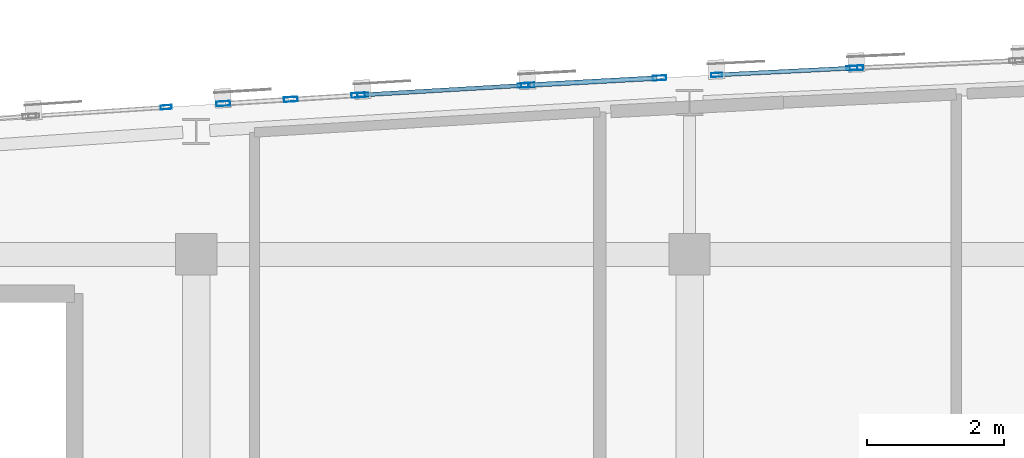
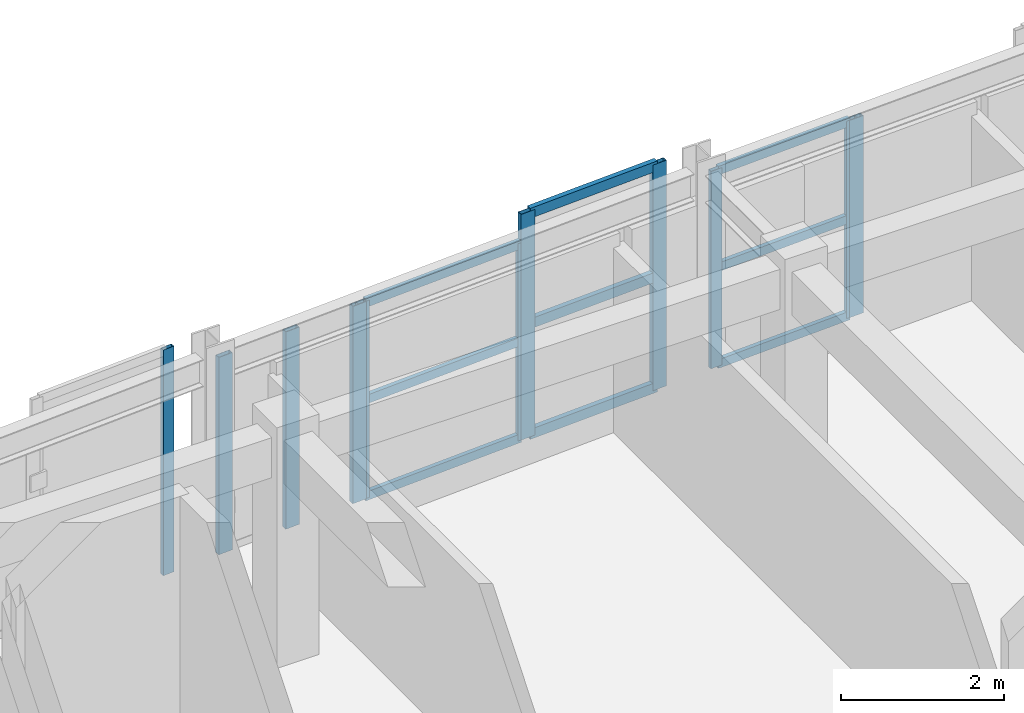
# One storey, part 12 of 41: 20 members, 6 elements without a shape of their own.
"""IFC4 building model written with IfcOpenShell, lengths in metres."""

from ifc_helpers import new_model, si_unit, direction, frame, origin, origin_2d, place, context, subcontext, project, spatial, hollow_rectangle, extrude, material, layer, layer_set, material_profile, profile_set, type_object, element, aggregate, save


model = new_model("IFC4")

# Units and contexts
model_context = context("Model", 3, precision=1e-05, world=origin(), true_north=direction((0.0, 1.0)))
body_context = subcontext(model_context, "Body", "Model", "MODEL_VIEW")
ifc_project = project(units=[si_unit("LENGTHUNIT", "METRE"), si_unit("AREAUNIT", "SQUARE_METRE"), si_unit("VOLUMEUNIT", "CUBIC_METRE"), si_unit("PLANEANGLEUNIT", "RADIAN"), si_unit("MASSUNIT", "GRAM", prefix="KILO")], contexts=[model_context])

# Site, building, storey
site_placement = place(None, origin())
site = spatial("IfcSite", under=ifc_project, at=site_placement, CompositionType="ELEMENT")
building_placement = place(site_placement, origin())
building = spatial("IfcBuilding", under=site, at=building_placement, Name="Carrowvane Square Congress Hotel", CompositionType="ELEMENT")
storey_placement = place(building_placement, frame((0.0, 0.0, 37.199951171875)))
storey = spatial("IfcBuildingStorey", under=building, at=storey_placement, Name="L09", CompositionType="ELEMENT", Elevation=37.199951171875)

# Curtain wall, member
ifc_material_1 = material(Name="Anodised aluminium", Category="aluminium")
ifc_layer_1 = layer(ifc_material_1, 0.23388671875)
ifc_layer_set_1 = layer_set([ifc_layer_1], Name="Anodised aluminium")
curtain_wall_type_1 = type_object("IfcCurtainWallType", Name="CW-SYS-7", PredefinedType="NOTDEFINED", material=ifc_layer_set_1)
curtain_wall_1_placement = place(storey_placement, origin())
curtain_wall_1 = element("IfcCurtainWall", 1, at=curtain_wall_1_placement, inside=storey, type_object=curtain_wall_type_1, Name="L09 unitised curtain wall 518", PredefinedType="NOTDEFINED")
ifc_material_2 = material(Name="Anodised aluminium", Category="aluminium")
ifc_material_profile_1 = material_profile(ifc_material_2, hollow_rectangle(XDim=0.06005859375, YDim=0.159912109375, WallThickness=0.00390625, at=origin_2d()), Name="CW-ML 60x160x4")
ifc_profile_set_1 = profile_set([ifc_material_profile_1], Name="Anodised aluminium")
member_type_1 = type_object("IfcMemberType", Name="CW-MUL-1", PredefinedType="MULLION", material=ifc_profile_set_1)
member_1_placement = place(storey_placement, frame((68.761474609375, 115.545654296875, 0.0), z_axis=(0.0, 0.0, 1.0), x_axis=(-0.065412223074, 0.997858327155, 0.0)))
member_1 = element("IfcMember", 2, at=member_1_placement, type_object=member_type_1, Name="CW-7 mullion 2", PredefinedType="MULLION", context=body_context, shape_type="SweptSolid", body=[
    extrude(hollow_rectangle(XDim=0.06005859375, YDim=0.159912109375, WallThickness=0.00390625, at=origin_2d()), origin(), (0.0, 0.0, 1.0), 3.380126953125),
])
aggregate(curtain_wall_1, [member_1])

# Curtain wall, members
ifc_material_3 = material(Name="Anodised aluminium", Category="aluminium")
ifc_layer_2 = layer(ifc_material_3, 0.162109375)
ifc_layer_set_2 = layer_set([ifc_layer_2], Name="Anodised aluminium")
curtain_wall_type_2 = type_object("IfcCurtainWallType", Name="CW-SYS-1", PredefinedType="NOTDEFINED", material=ifc_layer_set_2)
curtain_wall_2_placement = place(storey_placement, origin())
curtain_wall_2 = element("IfcCurtainWall", 3, at=curtain_wall_2_placement, inside=storey, type_object=curtain_wall_type_2, Name="L09 unitised curtain wall 520", PredefinedType="NOTDEFINED")
member_2_placement = place(storey_placement, frame((71.6298828125, 115.72607421875, 0.0), z_axis=(0.0, 0.0, 1.0), x_axis=(-0.058851249486, 0.998266763162, 0.0)))
member_2 = element("IfcMember", 4, at=member_2_placement, type_object=member_type_1, Name="CW-1 mullion 1", PredefinedType="MULLION", context=body_context, shape_type="SweptSolid", body=[
    extrude(hollow_rectangle(XDim=0.06005859375, YDim=0.159912109375, WallThickness=0.00390625, at=origin_2d()), origin(), (0.0, 0.0, 1.0), 2.95556640625),
])
member_3_placement = place(storey_placement, frame((73.969970703125, 115.864013671875, 0.0), z_axis=(0.0, 0.0, 1.0), x_axis=(-0.058851249486, 0.998266763162, 0.0)))
member_3 = element("IfcMember", 5, at=member_3_placement, type_object=member_type_1, Name="CW-1 mullion 2", PredefinedType="MULLION", context=body_context, shape_type="SweptSolid", body=[
    extrude(hollow_rectangle(XDim=0.06005859375, YDim=0.159912109375, WallThickness=0.00390625, at=origin_2d()), origin(), (0.0, 0.0, 1.0), 2.95556640625),
])

ifc_material_4 = material(Name="Anodised aluminium", Category="aluminium")
ifc_layer_3 = layer(ifc_material_4, 0.18603515625)
ifc_layer_set_3 = layer_set([ifc_layer_3], Name="Anodised aluminium")
curtain_wall_type_3 = type_object("IfcCurtainWallType", Name="CW-SYS-3", PredefinedType="NOTDEFINED", material=ifc_layer_set_3)
curtain_wall_3_placement = place(storey_placement, origin())
curtain_wall_3 = element("IfcCurtainWall", 6, at=curtain_wall_3_placement, inside=storey, type_object=curtain_wall_type_3, Name="L09 unitised curtain wall 522", PredefinedType="NOTDEFINED")
member_4_placement = place(storey_placement, frame((76.79443359375, 116.017578125, 0.0), z_axis=(0.0, 0.0, 1.0), x_axis=(-0.050323791596, 0.998732955299, 0.0)))
member_4 = element("IfcMember", 7, at=member_4_placement, type_object=member_type_1, Name="CW-3 mullion 1", PredefinedType="MULLION", context=body_context, shape_type="SweptSolid", body=[
    extrude(hollow_rectangle(XDim=0.06005859375, YDim=0.159912109375, WallThickness=0.00390625, at=origin_2d()), origin(), (0.0, 0.0, 1.0), 2.95556640625),
])
member_5_placement = place(storey_placement, frame((78.77001953125, 116.116943359375, 0.0), z_axis=(0.0, 0.0, 1.0), x_axis=(-0.050323791596, 0.998732955299, 0.0)))
member_5 = element("IfcMember", 8, at=member_5_placement, type_object=member_type_1, Name="CW-3 mullion 2", PredefinedType="MULLION", context=body_context, shape_type="SweptSolid", body=[
    extrude(hollow_rectangle(XDim=0.06005859375, YDim=0.159912109375, WallThickness=0.00390625, at=origin_2d()), origin(), (0.0, 0.0, 1.0), 2.95556640625),
])

ifc_material_5 = material(Name="Anodised aluminium", Category="aluminium")
ifc_layer_4 = layer(ifc_material_5, 0.24609375)
ifc_layer_set_4 = layer_set([ifc_layer_4], Name="Anodised aluminium")
curtain_wall_type_4 = type_object("IfcCurtainWallType", Name="CW-SYS-8", PredefinedType="NOTDEFINED", material=ifc_layer_set_4)
curtain_wall_4_placement = place(storey_placement, origin())
curtain_wall_4 = element("IfcCurtainWall", 9, at=curtain_wall_4_placement, inside=storey, type_object=curtain_wall_type_4, Name="L09 unitised curtain wall 519", PredefinedType="NOTDEFINED")
ifc_material_6 = material(Name="Anodised aluminium", Category="aluminium")
ifc_material_profile_2 = material_profile(ifc_material_6, hollow_rectangle(XDim=0.070068359375, YDim=0.199951171875, WallThickness=0.0048828125, at=origin_2d()), Name="CW-ML 70x200x5")
ifc_profile_set_2 = profile_set([ifc_material_profile_2], Name="Anodised aluminium")
member_type_2 = type_object("IfcMemberType", Name="CW-MUL-2", PredefinedType="MULLION", material=ifc_profile_set_2)
member_6_placement = place(storey_placement, frame((69.594970703125, 115.598876953125, 0.0), z_axis=(0.0, 0.0, 1.0), x_axis=(-0.062397474952, 0.998051378998, 0.0)))
member_6 = element("IfcMember", 10, at=member_6_placement, type_object=member_type_2, Name="CW-8 mullion 1", PredefinedType="MULLION", context=body_context, shape_type="SweptSolid", body=[
    extrude(hollow_rectangle(XDim=0.070068359375, YDim=0.199951171875, WallThickness=0.0048828125, at=origin_2d()), origin(), (0.0, 0.0, 1.0), 2.95556640625),
])
member_7_placement = place(storey_placement, frame((70.580078125, 115.66064453125, 0.0), z_axis=(0.0, 0.0, 1.0), x_axis=(-0.062397474952, 0.998051378998, 0.0)))
member_7 = element("IfcMember", 11, at=member_7_placement, type_object=member_type_2, Name="CW-8 mullion 2", PredefinedType="MULLION", context=body_context, shape_type="SweptSolid", body=[
    extrude(hollow_rectangle(XDim=0.070068359375, YDim=0.199951171875, WallThickness=0.0048828125, at=origin_2d()), origin(), (0.0, 0.0, 1.0), 2.95556640625),
])
member_8_placement = place(storey_placement, frame((71.565185546875, 115.72216796875, 0.0), z_axis=(0.0, 0.0, 1.0), x_axis=(-0.062397474952, 0.998051378998, 0.0)))
member_8 = element("IfcMember", 12, at=member_8_placement, type_object=member_type_2, Name="CW-8 mullion 3", PredefinedType="MULLION", context=body_context, shape_type="SweptSolid", body=[
    extrude(hollow_rectangle(XDim=0.070068359375, YDim=0.199951171875, WallThickness=0.0048828125, at=origin_2d()), origin(), (0.0, 0.0, 1.0), 2.95556640625),
])
aggregate(curtain_wall_4, [member_6, member_7, member_8])

ifc_material_7 = material(Name="Anodised aluminium", Category="aluminium")
ifc_layer_5 = layer(ifc_material_7, 0.174072265625)
ifc_layer_set_5 = layer_set([ifc_layer_5], Name="Anodised aluminium")
curtain_wall_type_5 = type_object("IfcCurtainWallType", Name="CW-SYS-2", PredefinedType="NOTDEFINED", material=ifc_layer_set_5)
curtain_wall_5_placement = place(storey_placement, origin())
curtain_wall_5 = element("IfcCurtainWall", 13, at=curtain_wall_5_placement, inside=storey, type_object=curtain_wall_type_5, Name="L09 unitised curtain wall 521", PredefinedType="NOTDEFINED")
member_9_placement = place(storey_placement, frame((74.034912109375, 115.86767578125, 0.0), z_axis=(0.0, 0.0, 1.0), x_axis=(-0.054815980317, 0.998496473856, 0.0)))
member_9 = element("IfcMember", 14, at=member_9_placement, type_object=member_type_2, Name="CW-2 mullion 1", PredefinedType="MULLION", context=body_context, shape_type="SweptSolid", body=[
    extrude(hollow_rectangle(XDim=0.070068359375, YDim=0.199951171875, WallThickness=0.0048828125, at=origin_2d()), origin(), (0.0, 0.0, 1.0), 3.380126953125),
])
member_10_placement = place(storey_placement, frame((75.96044921875, 115.973388671875, 0.0), z_axis=(0.0, 0.0, 1.0), x_axis=(-0.054815980317, 0.998496473856, 0.0)))
member_10 = element("IfcMember", 15, at=member_10_placement, type_object=member_type_2, Name="CW-2 mullion 2", PredefinedType="MULLION", context=body_context, shape_type="SweptSolid", body=[
    extrude(hollow_rectangle(XDim=0.070068359375, YDim=0.199951171875, WallThickness=0.0048828125, at=origin_2d()), origin(), (0.0, 0.0, 1.0), 3.380126953125),
])

# Curtain wall, member
ifc_material_8 = material(Name="Anodised aluminium", Category="aluminium")
ifc_layer_6 = layer(ifc_material_8, 0.197998046875)
ifc_layer_set_6 = layer_set([ifc_layer_6], Name="Anodised aluminium")
curtain_wall_type_6 = type_object("IfcCurtainWallType", Name="CW-SYS-4", PredefinedType="NOTDEFINED", material=ifc_layer_set_6)
curtain_wall_6_placement = place(storey_placement, origin())
curtain_wall_6 = element("IfcCurtainWall", 16, at=curtain_wall_6_placement, inside=storey, type_object=curtain_wall_type_6, Name="L09 unitised curtain wall 523", PredefinedType="NOTDEFINED")
member_11_placement = place(storey_placement, frame((78.8349609375, 116.1201171875, 0.0), z_axis=(0.0, 0.0, 1.0), x_axis=(-0.045411059449, 0.998968385726, 0.0)))
member_11 = element("IfcMember", 17, at=member_11_placement, type_object=member_type_2, Name="CW-4 mullion 1", PredefinedType="MULLION", context=body_context, shape_type="SweptSolid", body=[
    extrude(hollow_rectangle(XDim=0.070068359375, YDim=0.199951171875, WallThickness=0.0048828125, at=origin_2d()), origin(), (0.0, 0.0, 1.0), 2.95556640625),
])
aggregate(curtain_wall_6, [member_11])

# Member
ifc_material_9 = material(Name="Anodised aluminium", Category="aluminium")
ifc_material_profile_3 = material_profile(ifc_material_9, hollow_rectangle(XDim=0.06005859375, YDim=0.1298828125, WallThickness=0.00390625, at=origin_2d()), Name="CW-TR 60x130x4")
ifc_profile_set_3 = profile_set([ifc_material_profile_3], Name="Anodised aluminium")
member_type_3 = type_object("IfcMemberType", Name="CW-TRN-1", PredefinedType="USERDEFINED", material=ifc_profile_set_3)
member_12_placement = place(storey_placement, frame((71.659912109375, 115.727783203125, 0.030029296875), z_axis=(0.998264407893, 0.058891187232, 0.0), x_axis=(-0.058891187232, 0.998264407893, 0.0)))
member_12 = element("IfcMember", 18, at=member_12_placement, type_object=member_type_3, Name="CW-1 transom 1.1", ObjectType="TRANSOM", PredefinedType="USERDEFINED", context=body_context, shape_type="SweptSolid", body=[
    extrude(hollow_rectangle(XDim=0.06005859375, YDim=0.1298828125, WallThickness=0.00390625, at=origin_2d()), origin(), (0.0, 0.0, 1.0), 2.2841796875),
])

member_13_placement = place(storey_placement, frame((71.659912109375, 115.727783203125, 1.477783203125), z_axis=(0.998264407893, 0.058891187232, 0.0), x_axis=(-0.058891187232, 0.998264407893, 0.0)))
member_13 = element("IfcMember", 19, at=member_13_placement, type_object=member_type_3, Name="CW-1 transom 1.2", ObjectType="TRANSOM", PredefinedType="USERDEFINED", context=body_context, shape_type="SweptSolid", body=[
    extrude(hollow_rectangle(XDim=0.06005859375, YDim=0.1298828125, WallThickness=0.00390625, at=origin_2d()), origin(), (0.0, 0.0, 1.0), 2.2841796875),
])

member_14_placement = place(storey_placement, frame((71.659912109375, 115.727783203125, 2.925537109375), z_axis=(0.998264407893, 0.058891187232, 0.0), x_axis=(-0.058891187232, 0.998264407893, 0.0)))
member_14 = element("IfcMember", 20, at=member_14_placement, type_object=member_type_3, Name="CW-1 transom 1.3", ObjectType="TRANSOM", PredefinedType="USERDEFINED", context=body_context, shape_type="SweptSolid", body=[
    extrude(hollow_rectangle(XDim=0.06005859375, YDim=0.1298828125, WallThickness=0.00390625, at=origin_2d()), origin(), (0.0, 0.0, 1.0), 2.2841796875),
])

aggregate(curtain_wall_2, [member_2, member_3, member_12, member_13, member_14])

member_15_placement = place(storey_placement, frame((76.824462890625, 116.01904296875, 0.030029296875), z_axis=(0.998735138435, 0.050280446047, 0.0), x_axis=(-0.050280446047, 0.998735138435, 0.0)))
member_15 = element("IfcMember", 21, at=member_15_placement, type_object=member_type_3, Name="CW-3 transom 1.1", ObjectType="TRANSOM", PredefinedType="USERDEFINED", context=body_context, shape_type="SweptSolid", body=[
    extrude(hollow_rectangle(XDim=0.06005859375, YDim=0.1298828125, WallThickness=0.00390625, at=origin_2d()), origin(), (0.0, 0.0, 1.0), 1.91796875),
])

member_16_placement = place(storey_placement, frame((76.824462890625, 116.01904296875, 1.477783203125), z_axis=(0.998735138435, 0.050280446047, 0.0), x_axis=(-0.050280446047, 0.998735138435, 0.0)))
member_16 = element("IfcMember", 22, at=member_16_placement, type_object=member_type_3, Name="CW-3 transom 1.2", ObjectType="TRANSOM", PredefinedType="USERDEFINED", context=body_context, shape_type="SweptSolid", body=[
    extrude(hollow_rectangle(XDim=0.06005859375, YDim=0.1298828125, WallThickness=0.00390625, at=origin_2d()), origin(), (0.0, 0.0, 1.0), 1.91796875),
])

member_17_placement = place(storey_placement, frame((76.824462890625, 116.01904296875, 2.925537109375), z_axis=(0.998735138435, 0.050280446047, 0.0), x_axis=(-0.050280446047, 0.998735138435, 0.0)))
member_17 = element("IfcMember", 23, at=member_17_placement, type_object=member_type_3, Name="CW-3 transom 1.3", ObjectType="TRANSOM", PredefinedType="USERDEFINED", context=body_context, shape_type="SweptSolid", body=[
    extrude(hollow_rectangle(XDim=0.06005859375, YDim=0.1298828125, WallThickness=0.00390625, at=origin_2d()), origin(), (0.0, 0.0, 1.0), 1.91796875),
])

aggregate(curtain_wall_3, [member_4, member_5, member_15, member_16, member_17])

ifc_material_10 = material(Name="Anodised aluminium", Category="aluminium")
ifc_material_profile_4 = material_profile(ifc_material_10, hollow_rectangle(XDim=0.070068359375, YDim=0.14990234375, WallThickness=0.0048828125, at=origin_2d()), Name="CW-TR 70x150x5")
ifc_profile_set_4 = profile_set([ifc_material_profile_4], Name="Anodised aluminium")
member_type_4 = type_object("IfcMemberType", Name="CW-TRN-2", PredefinedType="USERDEFINED", material=ifc_profile_set_4)
member_18_placement = place(storey_placement, frame((74.06982421875, 115.86962890625, 0.03515625), z_axis=(0.998498512711, 0.054778829075, 0.0), x_axis=(-0.054778829075, 0.998498512711, 0.0)))
member_18 = element("IfcMember", 24, at=member_18_placement, type_object=member_type_4, Name="CW-2 transom 1.1", ObjectType="TRANSOM", PredefinedType="USERDEFINED", context=body_context, shape_type="SweptSolid", body=[
    extrude(hollow_rectangle(XDim=0.070068359375, YDim=0.14990234375, WallThickness=0.0048828125, at=origin_2d()), origin(), (0.0, 0.0, 1.0), 1.8583984375),
])

member_19_placement = place(storey_placement, frame((74.06982421875, 115.86962890625, 1.68994140625), z_axis=(0.998498512711, 0.054778829075, 0.0), x_axis=(-0.054778829075, 0.998498512711, 0.0)))
member_19 = element("IfcMember", 25, at=member_19_placement, type_object=member_type_4, Name="CW-2 transom 1.2", ObjectType="TRANSOM", PredefinedType="USERDEFINED", context=body_context, shape_type="SweptSolid", body=[
    extrude(hollow_rectangle(XDim=0.070068359375, YDim=0.14990234375, WallThickness=0.0048828125, at=origin_2d()), origin(), (0.0, 0.0, 1.0), 1.8583984375),
])

member_20_placement = place(storey_placement, frame((74.06982421875, 115.86962890625, 3.344970703125), z_axis=(0.998498512711, 0.054778829075, 0.0), x_axis=(-0.054778829075, 0.998498512711, 0.0)))
member_20 = element("IfcMember", 26, at=member_20_placement, type_object=member_type_4, Name="CW-2 transom 1.3", ObjectType="TRANSOM", PredefinedType="USERDEFINED", context=body_context, shape_type="SweptSolid", body=[
    extrude(hollow_rectangle(XDim=0.070068359375, YDim=0.14990234375, WallThickness=0.0048828125, at=origin_2d()), origin(), (0.0, 0.0, 1.0), 1.8583984375),
])

aggregate(curtain_wall_5, [member_9, member_10, member_18, member_19, member_20])

save(model, "model.ifc")
